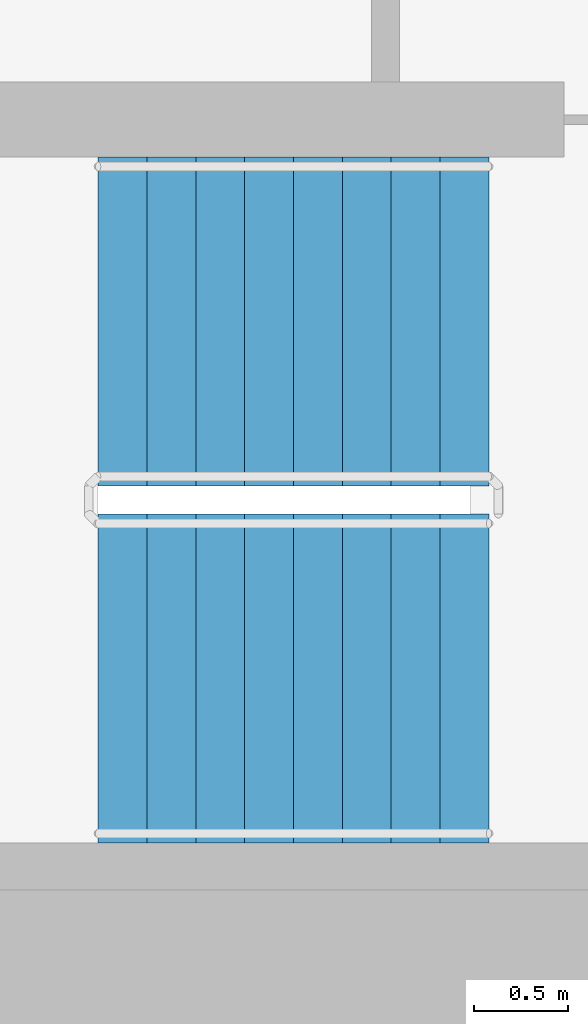
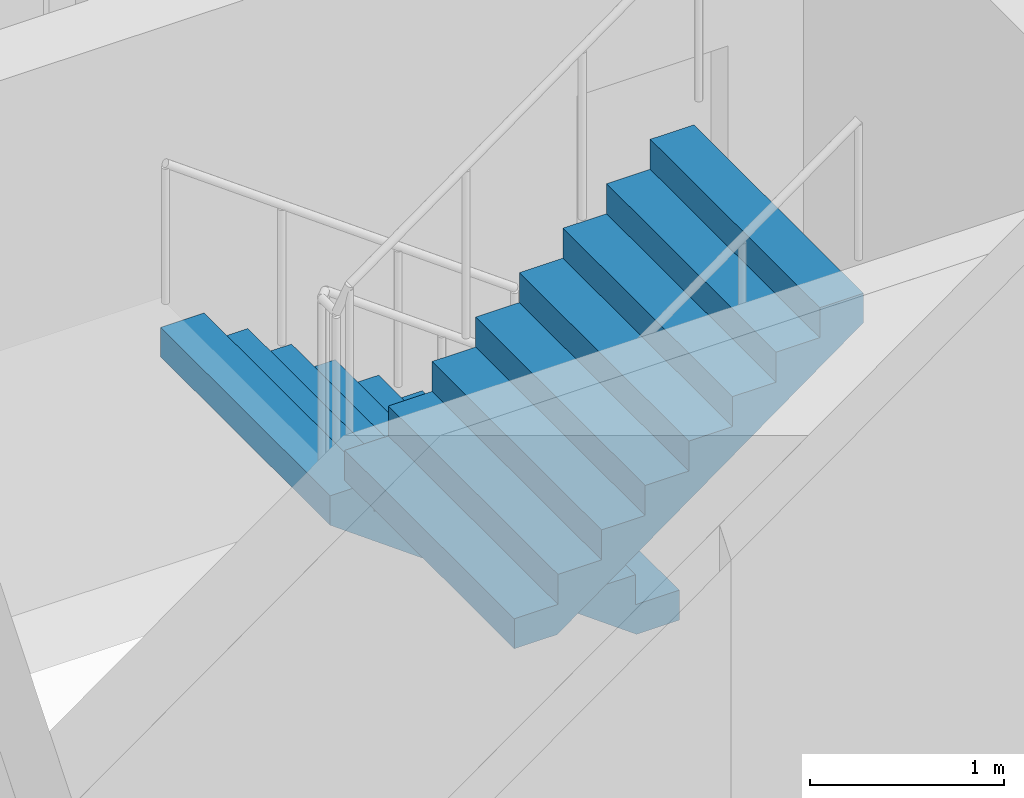
# One storey, part 14 of 20: 2 stair flights, 1 element without a shape of its own.
"""IFC4 building model written with IfcOpenShell, lengths in metres."""

from ifc_helpers import new_model, si_unit, direction, frame, origin, place, context, subcontext, project, spatial, faceted_brep, material, type_object, element, aggregate, save


model = new_model("IFC4")

# Units and contexts
model_context = context("Model", 3, precision=1e-05, world=origin(), true_north=direction((0.0, 1.0)))
body_context = subcontext(model_context, "Body", "Model", "MODEL_VIEW")
ifc_project = project(units=[si_unit("LENGTHUNIT", "METRE"), si_unit("AREAUNIT", "SQUARE_METRE"), si_unit("VOLUMEUNIT", "CUBIC_METRE"), si_unit("PLANEANGLEUNIT", "RADIAN"), si_unit("MASSUNIT", "GRAM", prefix="KILO")], contexts=[model_context])

# Site, building, storey
site_placement = place(None, origin())
site = spatial("IfcSite", under=ifc_project, at=site_placement, CompositionType="ELEMENT")
building_placement = place(site_placement, origin())
building = spatial("IfcBuilding", under=site, at=building_placement, Name="Ipe Terrace Towers", CompositionType="ELEMENT")
storey_placement = place(building_placement, frame((0.0, 0.0, 120.800048828125)))
storey = spatial("IfcBuildingStorey", under=building, at=storey_placement, Name="L33", CompositionType="ELEMENT", Elevation=120.800048828125)

# Stair, stair flights
ifc_material_1 = material(Name="Concrete C30/37", Category="concrete")
stair_type = type_object("IfcStairType", Name="Protected exit stair", PredefinedType="HALF_TURN_STAIR", material=ifc_material_1)
stair_placement = place(storey_placement, origin())
stair = element("IfcStair", 1, at=stair_placement, inside=storey, type_object=stair_type, Name="L33 Exit stair T1-C2", PredefinedType="HALF_TURN_STAIR")
ifc_material_2 = material(Name="Concrete C30/37", Category="concrete")
stair_flight_type = type_object("IfcStairFlightType", Name="Exit stair flight 1750", PredefinedType="STRAIGHT", material=ifc_material_2)
stair_flight_1_placement = place(storey_placement, frame((-45.699951171875, -2.77490234375, 0.0), z_axis=(0.0, 0.0, 1.0), x_axis=(-1.0, 0.0, 0.0)))
stair_flight_1 = element("IfcStairFlight", 2, at=stair_flight_1_placement, type_object=stair_flight_type, Name="T1-ST2 flight 1", NumberOfRisers=9, NumberOfTreads=8, PredefinedType="STRAIGHT", RiserHeight=0.188888889, TreadLength=0.26, context=body_context, shape_type="Brep", body=[
    faceted_brep([(0.255126953125, -0.875, 0.0), (2.080078125, -0.875, 1.325927734375), (2.080078125, -0.875, 1.51123046875), (1.820068359375, -0.875, 1.51123046875), (1.820068359375, -0.875, 1.322265625), (1.56005859375, -0.875, 1.322265625), (1.56005859375, -0.875, 1.13330078125), (1.300048828125, -0.875, 1.13330078125), (1.300048828125, -0.875, 0.9443359375), (1.0400390625, -0.875, 0.9443359375), (1.0400390625, -0.875, 0.755615234375), (0.780029296875, -0.875, 0.755615234375), (0.780029296875, -0.875, 0.566650390625), (0.52001953125, -0.875, 0.566650390625), (0.52001953125, -0.875, 0.377685546875), (0.260009765625, -0.875, 0.377685546875), (0.260009765625, -0.875, 0.18896484375), (0.0, -0.875, 0.18896484375), (0.0, -0.875, 0.0), (0.0, 0.875, 0.0), (0.0, 0.875, 0.18896484375), (0.260009765625, 0.875, 0.18896484375), (0.260009765625, 0.875, 0.377685546875), (0.52001953125, 0.875, 0.377685546875), (0.52001953125, 0.875, 0.566650390625), (0.780029296875, 0.875, 0.566650390625), (0.780029296875, 0.875, 0.755615234375), (1.0400390625, 0.875, 0.755615234375), (1.0400390625, 0.875, 0.9443359375), (1.300048828125, 0.875, 0.9443359375), (1.300048828125, 0.875, 1.13330078125), (1.56005859375, 0.875, 1.13330078125), (1.56005859375, 0.875, 1.322265625), (1.820068359375, 0.875, 1.322265625), (1.820068359375, 0.875, 1.51123046875), (2.080078125, 0.875, 1.51123046875), (2.080078125, 0.875, 1.325927734375), (0.255126953125, 0.875, 0.0), (0.0, -0.300048828125, 0.18896484375), (0.0, -0.1201171875, 0.18896484375), (0.0, -0.06005859375, 0.18896484375), (0.0, -0.030029296875, 0.18896484375), (0.0, -0.010009765625, 0.18896484375), (0.0, 0.0, 0.18896484375), (0.0, 0.010009765625, 0.18896484375), (0.0, 0.030029296875, 0.18896484375), (0.0, 0.06005859375, 0.18896484375), (0.0, 0.1201171875, 0.18896484375), (0.0, 0.300048828125, 0.18896484375), (0.0, 0.300048828125, 0.0), (0.0, 0.1201171875, 0.0), (0.0, 0.06005859375, 0.0), (0.0, 0.030029296875, 0.0), (0.0, 0.010009765625, 0.0), (0.0, 0.0, 0.0), (0.0, -0.010009765625, 0.0), (0.0, -0.030029296875, 0.0), (0.0, -0.06005859375, 0.0), (0.0, -0.1201171875, 0.0), (0.0, -0.300048828125, 0.0), (0.260009765625, -0.300048828125, 0.18896484375), (0.260009765625, -0.1201171875, 0.18896484375), (0.260009765625, -0.06005859375, 0.18896484375), (0.260009765625, -0.030029296875, 0.18896484375), (0.260009765625, -0.010009765625, 0.18896484375), (0.260009765625, 0.0, 0.18896484375), (0.260009765625, 0.010009765625, 0.18896484375), (0.260009765625, 0.030029296875, 0.18896484375), (0.260009765625, 0.06005859375, 0.18896484375), (0.260009765625, 0.1201171875, 0.18896484375), (0.260009765625, 0.300048828125, 0.18896484375), (0.260009765625, -0.300048828125, 0.377685546875), (0.260009765625, -0.1201171875, 0.377685546875), (0.260009765625, -0.06005859375, 0.377685546875), (0.260009765625, -0.030029296875, 0.377685546875), (0.260009765625, -0.010009765625, 0.377685546875), (0.260009765625, 0.0, 0.377685546875), (0.260009765625, 0.010009765625, 0.377685546875), (0.260009765625, 0.030029296875, 0.377685546875), (0.260009765625, 0.06005859375, 0.377685546875), (0.260009765625, 0.1201171875, 0.377685546875), (0.260009765625, 0.300048828125, 0.377685546875), (0.52001953125, -0.300048828125, 0.377685546875), (0.52001953125, -0.1201171875, 0.377685546875), (0.52001953125, -0.06005859375, 0.377685546875), (0.52001953125, -0.030029296875, 0.377685546875), (0.52001953125, -0.010009765625, 0.377685546875), (0.52001953125, 0.0, 0.377685546875), (0.52001953125, 0.010009765625, 0.377685546875), (0.52001953125, 0.030029296875, 0.377685546875), (0.52001953125, 0.06005859375, 0.377685546875), (0.52001953125, 0.1201171875, 0.377685546875), (0.52001953125, 0.300048828125, 0.377685546875), (0.52001953125, -0.300048828125, 0.566650390625), (0.52001953125, -0.1201171875, 0.566650390625), (0.52001953125, -0.06005859375, 0.566650390625), (0.52001953125, -0.030029296875, 0.566650390625), (0.52001953125, -0.010009765625, 0.566650390625), (0.52001953125, 0.0, 0.566650390625), (0.52001953125, 0.010009765625, 0.566650390625), (0.52001953125, 0.030029296875, 0.566650390625), (0.52001953125, 0.06005859375, 0.566650390625), (0.52001953125, 0.1201171875, 0.566650390625), (0.52001953125, 0.300048828125, 0.566650390625), (0.780029296875, -0.300048828125, 0.566650390625), (0.780029296875, -0.1201171875, 0.566650390625), (0.780029296875, -0.06005859375, 0.566650390625), (0.780029296875, -0.030029296875, 0.566650390625), (0.780029296875, -0.010009765625, 0.566650390625), (0.780029296875, 0.0, 0.566650390625), (0.780029296875, 0.010009765625, 0.566650390625), (0.780029296875, 0.030029296875, 0.566650390625), (0.780029296875, 0.06005859375, 0.566650390625), (0.780029296875, 0.1201171875, 0.566650390625), (0.780029296875, 0.300048828125, 0.566650390625), (0.780029296875, -0.300048828125, 0.755615234375), (0.780029296875, -0.1201171875, 0.755615234375), (0.780029296875, -0.06005859375, 0.755615234375), (0.780029296875, -0.030029296875, 0.755615234375), (0.780029296875, -0.010009765625, 0.755615234375), (0.780029296875, 0.0, 0.755615234375), (0.780029296875, 0.010009765625, 0.755615234375), (0.780029296875, 0.030029296875, 0.755615234375), (0.780029296875, 0.06005859375, 0.755615234375), (0.780029296875, 0.1201171875, 0.755615234375), (0.780029296875, 0.300048828125, 0.755615234375), (1.0400390625, -0.300048828125, 0.755615234375), (1.0400390625, -0.1201171875, 0.755615234375), (1.0400390625, -0.06005859375, 0.755615234375), (1.0400390625, -0.030029296875, 0.755615234375), (1.0400390625, -0.010009765625, 0.755615234375), (1.0400390625, 0.0, 0.755615234375), (1.0400390625, 0.010009765625, 0.755615234375), (1.0400390625, 0.030029296875, 0.755615234375), (1.0400390625, 0.06005859375, 0.755615234375), (1.0400390625, 0.1201171875, 0.755615234375), (1.0400390625, 0.300048828125, 0.755615234375), (1.0400390625, -0.300048828125, 0.9443359375), (1.0400390625, -0.1201171875, 0.9443359375), (1.0400390625, -0.06005859375, 0.9443359375), (1.0400390625, -0.030029296875, 0.9443359375), (1.0400390625, -0.010009765625, 0.9443359375), (1.0400390625, 0.0, 0.9443359375), (1.0400390625, 0.010009765625, 0.9443359375), (1.0400390625, 0.030029296875, 0.9443359375), (1.0400390625, 0.06005859375, 0.9443359375), (1.0400390625, 0.1201171875, 0.9443359375), (1.0400390625, 0.300048828125, 0.9443359375), (1.300048828125, -0.300048828125, 0.9443359375), (1.300048828125, -0.1201171875, 0.9443359375), (1.300048828125, -0.06005859375, 0.9443359375), (1.300048828125, -0.030029296875, 0.9443359375), (1.300048828125, -0.010009765625, 0.9443359375), (1.300048828125, 0.0, 0.9443359375), (1.300048828125, 0.010009765625, 0.9443359375), (1.300048828125, 0.030029296875, 0.9443359375), (1.300048828125, 0.06005859375, 0.9443359375), (1.300048828125, 0.1201171875, 0.9443359375), (1.300048828125, 0.300048828125, 0.9443359375), (1.300048828125, -0.300048828125, 1.13330078125), (1.300048828125, -0.1201171875, 1.13330078125), (1.300048828125, -0.06005859375, 1.13330078125), (1.300048828125, -0.030029296875, 1.13330078125), (1.300048828125, -0.010009765625, 1.13330078125), (1.300048828125, 0.0, 1.13330078125), (1.300048828125, 0.010009765625, 1.13330078125), (1.300048828125, 0.030029296875, 1.13330078125), (1.300048828125, 0.06005859375, 1.13330078125), (1.300048828125, 0.1201171875, 1.13330078125), (1.300048828125, 0.300048828125, 1.13330078125), (1.56005859375, -0.300048828125, 1.13330078125), (1.56005859375, -0.1201171875, 1.13330078125), (1.56005859375, -0.06005859375, 1.13330078125), (1.56005859375, -0.030029296875, 1.13330078125), (1.56005859375, -0.010009765625, 1.13330078125), (1.56005859375, 0.0, 1.13330078125), (1.56005859375, 0.010009765625, 1.13330078125), (1.56005859375, 0.030029296875, 1.13330078125), (1.56005859375, 0.06005859375, 1.13330078125), (1.56005859375, 0.1201171875, 1.13330078125), (1.56005859375, 0.300048828125, 1.13330078125), (1.56005859375, -0.300048828125, 1.322265625), (1.56005859375, -0.1201171875, 1.322265625), (1.56005859375, -0.06005859375, 1.322265625), (1.56005859375, -0.030029296875, 1.322265625), (1.56005859375, -0.010009765625, 1.322265625), (1.56005859375, 0.0, 1.322265625), (1.56005859375, 0.010009765625, 1.322265625), (1.56005859375, 0.030029296875, 1.322265625), (1.56005859375, 0.06005859375, 1.322265625), (1.56005859375, 0.1201171875, 1.322265625), (1.56005859375, 0.300048828125, 1.322265625), (1.820068359375, -0.300048828125, 1.322265625), (1.820068359375, -0.1201171875, 1.322265625), (1.820068359375, -0.06005859375, 1.322265625), (1.820068359375, -0.030029296875, 1.322265625), (1.820068359375, -0.010009765625, 1.322265625), (1.820068359375, 0.0, 1.322265625), (1.820068359375, 0.010009765625, 1.322265625), (1.820068359375, 0.030029296875, 1.322265625), (1.820068359375, 0.06005859375, 1.322265625), (1.820068359375, 0.1201171875, 1.322265625), (1.820068359375, 0.300048828125, 1.322265625), (1.820068359375, -0.300048828125, 1.51123046875), (1.820068359375, -0.1201171875, 1.51123046875), (1.820068359375, -0.06005859375, 1.51123046875), (1.820068359375, -0.030029296875, 1.51123046875), (1.820068359375, -0.010009765625, 1.51123046875), (1.820068359375, 0.0, 1.51123046875), (1.820068359375, 0.010009765625, 1.51123046875), (1.820068359375, 0.030029296875, 1.51123046875), (1.820068359375, 0.06005859375, 1.51123046875), (1.820068359375, 0.1201171875, 1.51123046875), (1.820068359375, 0.300048828125, 1.51123046875), (2.080078125, -0.300048828125, 1.51123046875), (2.080078125, -0.1201171875, 1.51123046875), (2.080078125, -0.06005859375, 1.51123046875), (2.080078125, -0.030029296875, 1.51123046875), (2.080078125, -0.010009765625, 1.51123046875), (2.080078125, 0.0, 1.51123046875), (2.080078125, 0.010009765625, 1.51123046875), (2.080078125, 0.030029296875, 1.51123046875), (2.080078125, 0.06005859375, 1.51123046875), (2.080078125, 0.1201171875, 1.51123046875), (2.080078125, 0.300048828125, 1.51123046875), (2.080078125, -0.300048828125, 1.325927734375), (2.080078125, -0.1201171875, 1.325927734375), (2.080078125, -0.06005859375, 1.325927734375), (2.080078125, -0.030029296875, 1.325927734375), (2.080078125, -0.010009765625, 1.325927734375), (2.080078125, 0.0, 1.325927734375), (2.080078125, 0.010009765625, 1.325927734375), (2.080078125, 0.030029296875, 1.325927734375), (2.080078125, 0.06005859375, 1.325927734375), (2.080078125, 0.1201171875, 1.325927734375), (2.080078125, 0.300048828125, 1.325927734375), (0.255126953125, -0.300048828125, 0.0), (0.255126953125, -0.1201171875, 0.0), (0.255126953125, -0.06005859375, 0.0), (0.255126953125, -0.030029296875, 0.0), (0.255126953125, -0.010009765625, 0.0), (0.255126953125, 0.0, 0.0), (0.255126953125, 0.010009765625, 0.0), (0.255126953125, 0.030029296875, 0.0), (0.255126953125, 0.06005859375, 0.0), (0.255126953125, 0.1201171875, 0.0), (0.255126953125, 0.300048828125, 0.0)], [[[0, 1, 2, 3, 4, 5, 6, 7, 8, 9, 10, 11, 12, 13, 14, 15, 16, 17, 18]], [[19, 20, 21, 22, 23, 24, 25, 26, 27, 28, 29, 30, 31, 32, 33, 34, 35, 36, 37]], [[17, 38, 39, 40, 41, 42, 43, 44, 45, 46, 47, 48, 20, 19, 49, 50, 51, 52, 53, 54, 55, 56, 57, 58, 59, 18]], [[16, 60, 61, 62, 63, 64, 65, 66, 67, 68, 69, 70, 21, 20, 48, 47, 46, 45, 44, 43, 42, 41, 40, 39, 38, 17]], [[15, 71, 72, 73, 74, 75, 76, 77, 78, 79, 80, 81, 22, 21, 70, 69, 68, 67, 66, 65, 64, 63, 62, 61, 60, 16]], [[14, 82, 83, 84, 85, 86, 87, 88, 89, 90, 91, 92, 23, 22, 81, 80, 79, 78, 77, 76, 75, 74, 73, 72, 71, 15]], [[13, 93, 94, 95, 96, 97, 98, 99, 100, 101, 102, 103, 24, 23, 92, 91, 90, 89, 88, 87, 86, 85, 84, 83, 82, 14]], [[12, 104, 105, 106, 107, 108, 109, 110, 111, 112, 113, 114, 25, 24, 103, 102, 101, 100, 99, 98, 97, 96, 95, 94, 93, 13]], [[11, 115, 116, 117, 118, 119, 120, 121, 122, 123, 124, 125, 26, 25, 114, 113, 112, 111, 110, 109, 108, 107, 106, 105, 104, 12]], [[10, 126, 127, 128, 129, 130, 131, 132, 133, 134, 135, 136, 27, 26, 125, 124, 123, 122, 121, 120, 119, 118, 117, 116, 115, 11]], [[9, 137, 138, 139, 140, 141, 142, 143, 144, 145, 146, 147, 28, 27, 136, 135, 134, 133, 132, 131, 130, 129, 128, 127, 126, 10]], [[8, 148, 149, 150, 151, 152, 153, 154, 155, 156, 157, 158, 29, 28, 147, 146, 145, 144, 143, 142, 141, 140, 139, 138, 137, 9]], [[7, 159, 160, 161, 162, 163, 164, 165, 166, 167, 168, 169, 30, 29, 158, 157, 156, 155, 154, 153, 152, 151, 150, 149, 148, 8]], [[6, 170, 171, 172, 173, 174, 175, 176, 177, 178, 179, 180, 31, 30, 169, 168, 167, 166, 165, 164, 163, 162, 161, 160, 159, 7]], [[5, 181, 182, 183, 184, 185, 186, 187, 188, 189, 190, 191, 32, 31, 180, 179, 178, 177, 176, 175, 174, 173, 172, 171, 170, 6]], [[4, 192, 193, 194, 195, 196, 197, 198, 199, 200, 201, 202, 33, 32, 191, 190, 189, 188, 187, 186, 185, 184, 183, 182, 181, 5]], [[3, 203, 204, 205, 206, 207, 208, 209, 210, 211, 212, 213, 34, 33, 202, 201, 200, 199, 198, 197, 196, 195, 194, 193, 192, 4]], [[2, 214, 215, 216, 217, 218, 219, 220, 221, 222, 223, 224, 35, 34, 213, 212, 211, 210, 209, 208, 207, 206, 205, 204, 203, 3]], [[1, 225, 226, 227, 228, 229, 230, 231, 232, 233, 234, 235, 36, 35, 224, 223, 222, 221, 220, 219, 218, 217, 216, 215, 214, 2]], [[0, 236, 237, 238, 239, 240, 241, 242, 243, 244, 245, 246, 37, 36, 235, 234, 233, 232, 231, 230, 229, 228, 227, 226, 225, 1]], [[18, 59, 58, 57, 56, 55, 54, 53, 52, 51, 50, 49, 19, 37, 246, 245, 244, 243, 242, 241, 240, 239, 238, 237, 236, 0]]]),
])
stair_flight_2_placement = place(storey_placement, frame((-47.780029296875, -4.675048828125, 1.699951171875), z_axis=(0.0, 0.0, 1.0), x_axis=(1.0, 0.0, 0.0)))
stair_flight_2 = element("IfcStairFlight", 3, at=stair_flight_2_placement, type_object=stair_flight_type, Name="T1-ST2 flight 2", NumberOfRisers=9, NumberOfTreads=8, PredefinedType="STRAIGHT", RiserHeight=0.188888889, TreadLength=0.26, context=body_context, shape_type="Brep", body=[
    faceted_brep([(0.255126953125, -0.875, 0.0), (2.080078125, -0.875, 1.325927734375), (2.080078125, -0.875, 1.51123046875), (1.820068359375, -0.875, 1.51123046875), (1.820068359375, -0.875, 1.322265625), (1.56005859375, -0.875, 1.322265625), (1.56005859375, -0.875, 1.13330078125), (1.300048828125, -0.875, 1.13330078125), (1.300048828125, -0.875, 0.9443359375), (1.0400390625, -0.875, 0.9443359375), (1.0400390625, -0.875, 0.755615234375), (0.780029296875, -0.875, 0.755615234375), (0.780029296875, -0.875, 0.566650390625), (0.52001953125, -0.875, 0.566650390625), (0.52001953125, -0.875, 0.377685546875), (0.260009765625, -0.875, 0.377685546875), (0.260009765625, -0.875, 0.18896484375), (0.0, -0.875, 0.18896484375), (0.0, -0.875, 0.0), (0.0, 0.875, 0.0), (0.0, 0.875, 0.18896484375), (0.260009765625, 0.875, 0.18896484375), (0.260009765625, 0.875, 0.377685546875), (0.52001953125, 0.875, 0.377685546875), (0.52001953125, 0.875, 0.566650390625), (0.780029296875, 0.875, 0.566650390625), (0.780029296875, 0.875, 0.755615234375), (1.0400390625, 0.875, 0.755615234375), (1.0400390625, 0.875, 0.9443359375), (1.300048828125, 0.875, 0.9443359375), (1.300048828125, 0.875, 1.13330078125), (1.56005859375, 0.875, 1.13330078125), (1.56005859375, 0.875, 1.322265625), (1.820068359375, 0.875, 1.322265625), (1.820068359375, 0.875, 1.51123046875), (2.080078125, 0.875, 1.51123046875), (2.080078125, 0.875, 1.325927734375), (0.255126953125, 0.875, 0.0), (0.0, -0.300048828125, 0.18896484375), (0.0, -0.1201171875, 0.18896484375), (0.0, -0.06005859375, 0.18896484375), (0.0, -0.030029296875, 0.18896484375), (0.0, -0.010009765625, 0.18896484375), (0.0, 0.0, 0.18896484375), (0.0, 0.010009765625, 0.18896484375), (0.0, 0.030029296875, 0.18896484375), (0.0, 0.06005859375, 0.18896484375), (0.0, 0.1201171875, 0.18896484375), (0.0, 0.300048828125, 0.18896484375), (0.0, 0.300048828125, 0.0), (0.0, 0.1201171875, 0.0), (0.0, 0.06005859375, 0.0), (0.0, 0.030029296875, 0.0), (0.0, 0.010009765625, 0.0), (0.0, 0.0, 0.0), (0.0, -0.010009765625, 0.0), (0.0, -0.030029296875, 0.0), (0.0, -0.06005859375, 0.0), (0.0, -0.1201171875, 0.0), (0.0, -0.300048828125, 0.0), (0.260009765625, -0.300048828125, 0.18896484375), (0.260009765625, -0.1201171875, 0.18896484375), (0.260009765625, -0.06005859375, 0.18896484375), (0.260009765625, -0.030029296875, 0.18896484375), (0.260009765625, -0.010009765625, 0.18896484375), (0.260009765625, 0.0, 0.18896484375), (0.260009765625, 0.010009765625, 0.18896484375), (0.260009765625, 0.030029296875, 0.18896484375), (0.260009765625, 0.06005859375, 0.18896484375), (0.260009765625, 0.1201171875, 0.18896484375), (0.260009765625, 0.300048828125, 0.18896484375), (0.260009765625, -0.300048828125, 0.377685546875), (0.260009765625, -0.1201171875, 0.377685546875), (0.260009765625, -0.06005859375, 0.377685546875), (0.260009765625, -0.030029296875, 0.377685546875), (0.260009765625, -0.010009765625, 0.377685546875), (0.260009765625, 0.0, 0.377685546875), (0.260009765625, 0.010009765625, 0.377685546875), (0.260009765625, 0.030029296875, 0.377685546875), (0.260009765625, 0.06005859375, 0.377685546875), (0.260009765625, 0.1201171875, 0.377685546875), (0.260009765625, 0.300048828125, 0.377685546875), (0.52001953125, -0.300048828125, 0.377685546875), (0.52001953125, -0.1201171875, 0.377685546875), (0.52001953125, -0.06005859375, 0.377685546875), (0.52001953125, -0.030029296875, 0.377685546875), (0.52001953125, -0.010009765625, 0.377685546875), (0.52001953125, 0.0, 0.377685546875), (0.52001953125, 0.010009765625, 0.377685546875), (0.52001953125, 0.030029296875, 0.377685546875), (0.52001953125, 0.06005859375, 0.377685546875), (0.52001953125, 0.1201171875, 0.377685546875), (0.52001953125, 0.300048828125, 0.377685546875), (0.52001953125, -0.300048828125, 0.566650390625), (0.52001953125, -0.1201171875, 0.566650390625), (0.52001953125, -0.06005859375, 0.566650390625), (0.52001953125, -0.030029296875, 0.566650390625), (0.52001953125, -0.010009765625, 0.566650390625), (0.52001953125, 0.0, 0.566650390625), (0.52001953125, 0.010009765625, 0.566650390625), (0.52001953125, 0.030029296875, 0.566650390625), (0.52001953125, 0.06005859375, 0.566650390625), (0.52001953125, 0.1201171875, 0.566650390625), (0.52001953125, 0.300048828125, 0.566650390625), (0.780029296875, -0.300048828125, 0.566650390625), (0.780029296875, -0.1201171875, 0.566650390625), (0.780029296875, -0.06005859375, 0.566650390625), (0.780029296875, -0.030029296875, 0.566650390625), (0.780029296875, -0.010009765625, 0.566650390625), (0.780029296875, 0.0, 0.566650390625), (0.780029296875, 0.010009765625, 0.566650390625), (0.780029296875, 0.030029296875, 0.566650390625), (0.780029296875, 0.06005859375, 0.566650390625), (0.780029296875, 0.1201171875, 0.566650390625), (0.780029296875, 0.300048828125, 0.566650390625), (0.780029296875, -0.300048828125, 0.755615234375), (0.780029296875, -0.1201171875, 0.755615234375), (0.780029296875, -0.06005859375, 0.755615234375), (0.780029296875, -0.030029296875, 0.755615234375), (0.780029296875, -0.010009765625, 0.755615234375), (0.780029296875, 0.0, 0.755615234375), (0.780029296875, 0.010009765625, 0.755615234375), (0.780029296875, 0.030029296875, 0.755615234375), (0.780029296875, 0.06005859375, 0.755615234375), (0.780029296875, 0.1201171875, 0.755615234375), (0.780029296875, 0.300048828125, 0.755615234375), (1.0400390625, -0.300048828125, 0.755615234375), (1.0400390625, -0.1201171875, 0.755615234375), (1.0400390625, -0.06005859375, 0.755615234375), (1.0400390625, -0.030029296875, 0.755615234375), (1.0400390625, -0.010009765625, 0.755615234375), (1.0400390625, 0.0, 0.755615234375), (1.0400390625, 0.010009765625, 0.755615234375), (1.0400390625, 0.030029296875, 0.755615234375), (1.0400390625, 0.06005859375, 0.755615234375), (1.0400390625, 0.1201171875, 0.755615234375), (1.0400390625, 0.300048828125, 0.755615234375), (1.0400390625, -0.300048828125, 0.9443359375), (1.0400390625, -0.1201171875, 0.9443359375), (1.0400390625, -0.06005859375, 0.9443359375), (1.0400390625, -0.030029296875, 0.9443359375), (1.0400390625, -0.010009765625, 0.9443359375), (1.0400390625, 0.0, 0.9443359375), (1.0400390625, 0.010009765625, 0.9443359375), (1.0400390625, 0.030029296875, 0.9443359375), (1.0400390625, 0.06005859375, 0.9443359375), (1.0400390625, 0.1201171875, 0.9443359375), (1.0400390625, 0.300048828125, 0.9443359375), (1.300048828125, -0.300048828125, 0.9443359375), (1.300048828125, -0.1201171875, 0.9443359375), (1.300048828125, -0.06005859375, 0.9443359375), (1.300048828125, -0.030029296875, 0.9443359375), (1.300048828125, -0.010009765625, 0.9443359375), (1.300048828125, 0.0, 0.9443359375), (1.300048828125, 0.010009765625, 0.9443359375), (1.300048828125, 0.030029296875, 0.9443359375), (1.300048828125, 0.06005859375, 0.9443359375), (1.300048828125, 0.1201171875, 0.9443359375), (1.300048828125, 0.300048828125, 0.9443359375), (1.300048828125, -0.300048828125, 1.13330078125), (1.300048828125, -0.1201171875, 1.13330078125), (1.300048828125, -0.06005859375, 1.13330078125), (1.300048828125, -0.030029296875, 1.13330078125), (1.300048828125, -0.010009765625, 1.13330078125), (1.300048828125, 0.0, 1.13330078125), (1.300048828125, 0.010009765625, 1.13330078125), (1.300048828125, 0.030029296875, 1.13330078125), (1.300048828125, 0.06005859375, 1.13330078125), (1.300048828125, 0.1201171875, 1.13330078125), (1.300048828125, 0.300048828125, 1.13330078125), (1.56005859375, -0.300048828125, 1.13330078125), (1.56005859375, -0.1201171875, 1.13330078125), (1.56005859375, -0.06005859375, 1.13330078125), (1.56005859375, -0.030029296875, 1.13330078125), (1.56005859375, -0.010009765625, 1.13330078125), (1.56005859375, 0.0, 1.13330078125), (1.56005859375, 0.010009765625, 1.13330078125), (1.56005859375, 0.030029296875, 1.13330078125), (1.56005859375, 0.06005859375, 1.13330078125), (1.56005859375, 0.1201171875, 1.13330078125), (1.56005859375, 0.300048828125, 1.13330078125), (1.56005859375, -0.300048828125, 1.322265625), (1.56005859375, -0.1201171875, 1.322265625), (1.56005859375, -0.06005859375, 1.322265625), (1.56005859375, -0.030029296875, 1.322265625), (1.56005859375, -0.010009765625, 1.322265625), (1.56005859375, 0.0, 1.322265625), (1.56005859375, 0.010009765625, 1.322265625), (1.56005859375, 0.030029296875, 1.322265625), (1.56005859375, 0.06005859375, 1.322265625), (1.56005859375, 0.1201171875, 1.322265625), (1.56005859375, 0.300048828125, 1.322265625), (1.820068359375, -0.300048828125, 1.322265625), (1.820068359375, -0.1201171875, 1.322265625), (1.820068359375, -0.06005859375, 1.322265625), (1.820068359375, -0.030029296875, 1.322265625), (1.820068359375, -0.010009765625, 1.322265625), (1.820068359375, 0.0, 1.322265625), (1.820068359375, 0.010009765625, 1.322265625), (1.820068359375, 0.030029296875, 1.322265625), (1.820068359375, 0.06005859375, 1.322265625), (1.820068359375, 0.1201171875, 1.322265625), (1.820068359375, 0.300048828125, 1.322265625), (1.820068359375, -0.300048828125, 1.51123046875), (1.820068359375, -0.1201171875, 1.51123046875), (1.820068359375, -0.06005859375, 1.51123046875), (1.820068359375, -0.030029296875, 1.51123046875), (1.820068359375, -0.010009765625, 1.51123046875), (1.820068359375, 0.0, 1.51123046875), (1.820068359375, 0.010009765625, 1.51123046875), (1.820068359375, 0.030029296875, 1.51123046875), (1.820068359375, 0.06005859375, 1.51123046875), (1.820068359375, 0.1201171875, 1.51123046875), (1.820068359375, 0.300048828125, 1.51123046875), (2.080078125, -0.300048828125, 1.51123046875), (2.080078125, -0.1201171875, 1.51123046875), (2.080078125, -0.06005859375, 1.51123046875), (2.080078125, -0.030029296875, 1.51123046875), (2.080078125, -0.010009765625, 1.51123046875), (2.080078125, 0.0, 1.51123046875), (2.080078125, 0.010009765625, 1.51123046875), (2.080078125, 0.030029296875, 1.51123046875), (2.080078125, 0.06005859375, 1.51123046875), (2.080078125, 0.1201171875, 1.51123046875), (2.080078125, 0.300048828125, 1.51123046875), (2.080078125, -0.300048828125, 1.325927734375), (2.080078125, -0.1201171875, 1.325927734375), (2.080078125, -0.06005859375, 1.325927734375), (2.080078125, -0.030029296875, 1.325927734375), (2.080078125, -0.010009765625, 1.325927734375), (2.080078125, 0.0, 1.325927734375), (2.080078125, 0.010009765625, 1.325927734375), (2.080078125, 0.030029296875, 1.325927734375), (2.080078125, 0.06005859375, 1.325927734375), (2.080078125, 0.1201171875, 1.325927734375), (2.080078125, 0.300048828125, 1.325927734375), (0.255126953125, -0.300048828125, 0.0), (0.255126953125, -0.1201171875, 0.0), (0.255126953125, -0.06005859375, 0.0), (0.255126953125, -0.030029296875, 0.0), (0.255126953125, -0.010009765625, 0.0), (0.255126953125, 0.0, 0.0), (0.255126953125, 0.010009765625, 0.0), (0.255126953125, 0.030029296875, 0.0), (0.255126953125, 0.06005859375, 0.0), (0.255126953125, 0.1201171875, 0.0), (0.255126953125, 0.300048828125, 0.0)], [[[0, 1, 2, 3, 4, 5, 6, 7, 8, 9, 10, 11, 12, 13, 14, 15, 16, 17, 18]], [[19, 20, 21, 22, 23, 24, 25, 26, 27, 28, 29, 30, 31, 32, 33, 34, 35, 36, 37]], [[17, 38, 39, 40, 41, 42, 43, 44, 45, 46, 47, 48, 20, 19, 49, 50, 51, 52, 53, 54, 55, 56, 57, 58, 59, 18]], [[16, 60, 61, 62, 63, 64, 65, 66, 67, 68, 69, 70, 21, 20, 48, 47, 46, 45, 44, 43, 42, 41, 40, 39, 38, 17]], [[15, 71, 72, 73, 74, 75, 76, 77, 78, 79, 80, 81, 22, 21, 70, 69, 68, 67, 66, 65, 64, 63, 62, 61, 60, 16]], [[14, 82, 83, 84, 85, 86, 87, 88, 89, 90, 91, 92, 23, 22, 81, 80, 79, 78, 77, 76, 75, 74, 73, 72, 71, 15]], [[13, 93, 94, 95, 96, 97, 98, 99, 100, 101, 102, 103, 24, 23, 92, 91, 90, 89, 88, 87, 86, 85, 84, 83, 82, 14]], [[12, 104, 105, 106, 107, 108, 109, 110, 111, 112, 113, 114, 25, 24, 103, 102, 101, 100, 99, 98, 97, 96, 95, 94, 93, 13]], [[11, 115, 116, 117, 118, 119, 120, 121, 122, 123, 124, 125, 26, 25, 114, 113, 112, 111, 110, 109, 108, 107, 106, 105, 104, 12]], [[10, 126, 127, 128, 129, 130, 131, 132, 133, 134, 135, 136, 27, 26, 125, 124, 123, 122, 121, 120, 119, 118, 117, 116, 115, 11]], [[9, 137, 138, 139, 140, 141, 142, 143, 144, 145, 146, 147, 28, 27, 136, 135, 134, 133, 132, 131, 130, 129, 128, 127, 126, 10]], [[8, 148, 149, 150, 151, 152, 153, 154, 155, 156, 157, 158, 29, 28, 147, 146, 145, 144, 143, 142, 141, 140, 139, 138, 137, 9]], [[7, 159, 160, 161, 162, 163, 164, 165, 166, 167, 168, 169, 30, 29, 158, 157, 156, 155, 154, 153, 152, 151, 150, 149, 148, 8]], [[6, 170, 171, 172, 173, 174, 175, 176, 177, 178, 179, 180, 31, 30, 169, 168, 167, 166, 165, 164, 163, 162, 161, 160, 159, 7]], [[5, 181, 182, 183, 184, 185, 186, 187, 188, 189, 190, 191, 32, 31, 180, 179, 178, 177, 176, 175, 174, 173, 172, 171, 170, 6]], [[4, 192, 193, 194, 195, 196, 197, 198, 199, 200, 201, 202, 33, 32, 191, 190, 189, 188, 187, 186, 185, 184, 183, 182, 181, 5]], [[3, 203, 204, 205, 206, 207, 208, 209, 210, 211, 212, 213, 34, 33, 202, 201, 200, 199, 198, 197, 196, 195, 194, 193, 192, 4]], [[2, 214, 215, 216, 217, 218, 219, 220, 221, 222, 223, 224, 35, 34, 213, 212, 211, 210, 209, 208, 207, 206, 205, 204, 203, 3]], [[1, 225, 226, 227, 228, 229, 230, 231, 232, 233, 234, 235, 36, 35, 224, 223, 222, 221, 220, 219, 218, 217, 216, 215, 214, 2]], [[0, 236, 237, 238, 239, 240, 241, 242, 243, 244, 245, 246, 37, 36, 235, 234, 233, 232, 231, 230, 229, 228, 227, 226, 225, 1]], [[18, 59, 58, 57, 56, 55, 54, 53, 52, 51, 50, 49, 19, 37, 246, 245, 244, 243, 242, 241, 240, 239, 238, 237, 236, 0]]]),
])
aggregate(stair, [stair_flight_1, stair_flight_2])

save(model, "model.ifc")
